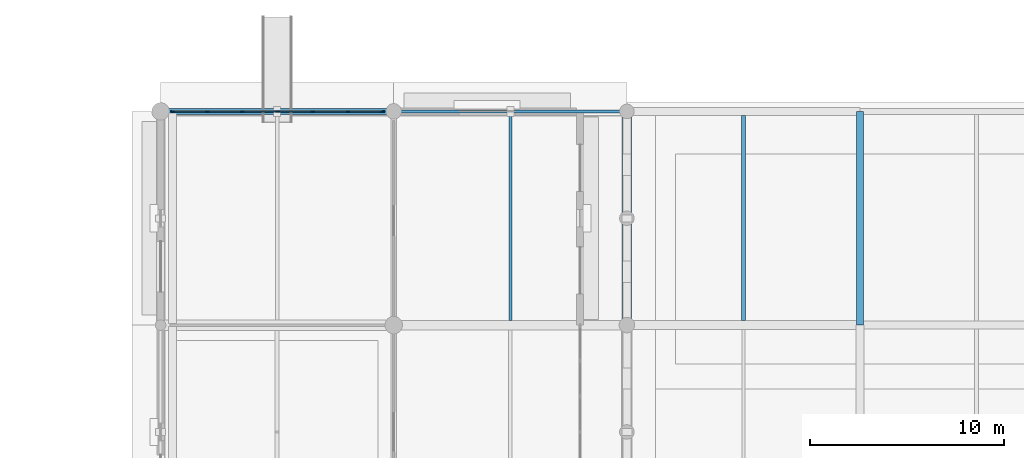
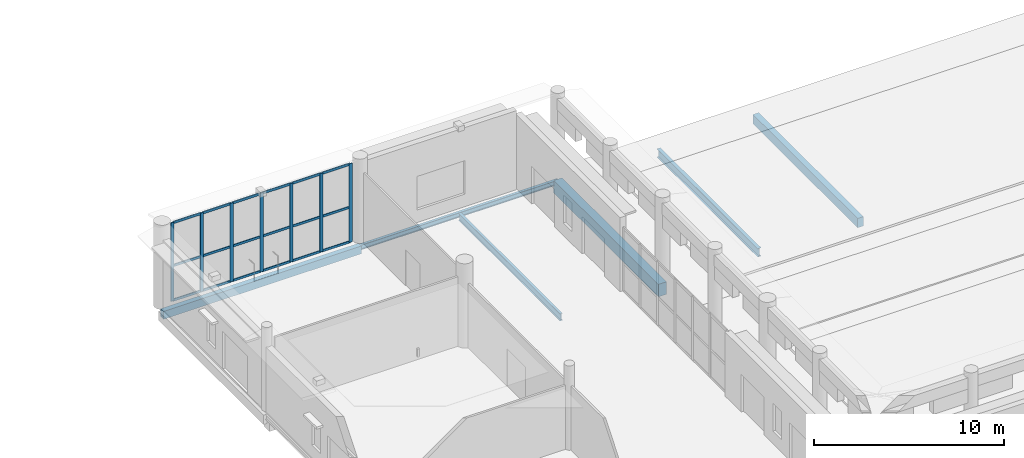
# One storey, part 38 of 120: 25 members, 6 beams, 1 element without a shape of its own.
"""IFC4 building model written with IfcOpenShell, lengths in metres."""

from ifc_helpers import new_model, si_unit, direction, frame, origin, origin_2d, place, context, subcontext, project, spatial, rectangle, hollow_rectangle, i_section, extrude, material, material_profile, profile_set, type_object, element, aggregate, save


model = new_model("IFC4")

# Units and contexts
model_context = context("Model", 3, precision=1e-05, world=origin(), true_north=direction((0.0, 1.0)))
body_context = subcontext(model_context, "Body", "Model", "MODEL_VIEW")
ifc_project = project(units=[si_unit("LENGTHUNIT", "METRE"), si_unit("AREAUNIT", "SQUARE_METRE"), si_unit("VOLUMEUNIT", "CUBIC_METRE"), si_unit("PLANEANGLEUNIT", "RADIAN"), si_unit("MASSUNIT", "GRAM", prefix="KILO")], contexts=[model_context])

# Site, building, storey
site_placement = place(None, origin())
site = spatial("IfcSite", under=ifc_project, at=site_placement, CompositionType="ELEMENT")
building_placement = place(site_placement, origin())
building = spatial("IfcBuilding", under=site, at=building_placement, Name="Luwafu Chhajja Arena", CompositionType="ELEMENT")
storey_placement = place(building_placement, origin())
storey = spatial("IfcBuildingStorey", under=building, at=storey_placement, Name="L00", CompositionType="ELEMENT", Elevation=0.0)

# Beam
ifc_material_1 = material(Name="Concrete C35/45", Category="concrete")
ifc_material_profile_1 = material_profile(ifc_material_1, rectangle(XDim=0.35009765625, YDim=0.60009765625, at=origin_2d()), Name="RC 350x600")
ifc_profile_set_1 = profile_set([ifc_material_profile_1], Name="Concrete C35/45")
beam_type_1 = type_object("IfcBeamType", Name="Arcade Tie Beam RC 350x600", PredefinedType="BEAM", material=ifc_profile_set_1)
beam_1_placement = place(storey_placement, frame((70.0, 121.0, -0.64990234375), z_axis=(0.0, 1.0, 0.0), x_axis=(-1.0, 0.0, 0.0)))
element("IfcBeam", 1, at=beam_1_placement, inside=storey, type_object=beam_type_1, Name="L00 Grid Beam 7/M-N", PredefinedType="BEAM", context=body_context, shape_type="SweptSolid", body=[
    extrude(rectangle(XDim=0.35009765625, YDim=0.60009765625, at=origin_2d()), origin(), (0.0, 0.0, 1.0), 11.0),
])

# Curtain wall, members
ifc_material_2 = material(Name="Anodised bronze aluminium", Category="aluminium")
curtain_wall_type = type_object("IfcCurtainWallType", Name="Foyer Luwafu Street Curtain Wall", PredefinedType="USERDEFINED", material=ifc_material_2)
curtain_wall_placement = place(storey_placement, origin())
curtain_wall = element("IfcCurtainWall", 2, at=curtain_wall_placement, inside=storey, type_object=curtain_wall_type, Name="L00 Curtain Wall CWG-L00-H03_12", ObjectType="CURTAIN WALL", PredefinedType="USERDEFINED")
ifc_material_profile_2 = material_profile(ifc_material_2, rectangle(XDim=0.06494140625, YDim=0.199951171875, at=origin_2d()), Name="CWM 65x200")
ifc_profile_set_2 = profile_set([ifc_material_profile_2], Name="Anodised bronze aluminium")
member_type_1 = type_object("IfcMemberType", Name="Bronze Curtain Wall Mullion 65x200", PredefinedType="MULLION", material=ifc_profile_set_2)
member_1_placement = place(storey_placement, frame((34.62255859375, 132.0, 0.030029296875), z_axis=(0.0, 0.0, 1.0), x_axis=(0.0, 1.0, 0.0)))
member_1 = element("IfcMember", 3, at=member_1_placement, type_object=member_type_1, Name="CW-05 mullion 1", PredefinedType="MULLION", context=body_context, shape_type="SweptSolid", body=[
    extrude(rectangle(XDim=0.06494140625, YDim=0.199951171875, at=origin_2d()), origin(), (0.0, 0.0, 1.0), 5.034912109375),
])
member_2_placement = place(storey_placement, frame((36.401611328125, 132.0, 0.030029296875), z_axis=(0.0, 0.0, 1.0), x_axis=(0.0, 1.0, 0.0)))
member_2 = element("IfcMember", 4, at=member_2_placement, type_object=member_type_1, Name="CW-05 mullion 2", PredefinedType="MULLION", context=body_context, shape_type="SweptSolid", body=[
    extrude(rectangle(XDim=0.06494140625, YDim=0.199951171875, at=origin_2d()), origin(), (0.0, 0.0, 1.0), 5.034912109375),
])
member_3_placement = place(storey_placement, frame((38.21337890625, 132.0, 0.030029296875), z_axis=(0.0, 0.0, 1.0), x_axis=(0.0, 1.0, 0.0)))
member_3 = element("IfcMember", 5, at=member_3_placement, type_object=member_type_1, Name="CW-05 mullion 3", PredefinedType="MULLION", context=body_context, shape_type="SweptSolid", body=[
    extrude(rectangle(XDim=0.06494140625, YDim=0.199951171875, at=origin_2d()), origin(), (0.0, 0.0, 1.0), 5.034912109375),
])
member_4_placement = place(storey_placement, frame((40.02490234375, 132.0, 0.030029296875), z_axis=(0.0, 0.0, 1.0), x_axis=(0.0, 1.0, 0.0)))
member_4 = element("IfcMember", 6, at=member_4_placement, type_object=member_type_1, Name="CW-05 mullion 4", PredefinedType="MULLION", context=body_context, shape_type="SweptSolid", body=[
    extrude(rectangle(XDim=0.06494140625, YDim=0.199951171875, at=origin_2d()), origin(), (0.0, 0.0, 1.0), 5.034912109375),
])
member_5_placement = place(storey_placement, frame((41.836669921875, 132.0, 0.030029296875), z_axis=(0.0, 0.0, 1.0), x_axis=(0.0, 1.0, 0.0)))
member_5 = element("IfcMember", 7, at=member_5_placement, type_object=member_type_1, Name="CW-05 mullion 5", PredefinedType="MULLION", context=body_context, shape_type="SweptSolid", body=[
    extrude(rectangle(XDim=0.06494140625, YDim=0.199951171875, at=origin_2d()), origin(), (0.0, 0.0, 1.0), 5.034912109375),
])
member_6_placement = place(storey_placement, frame((43.6484375, 132.0, 0.030029296875), z_axis=(0.0, 0.0, 1.0), x_axis=(0.0, 1.0, 0.0)))
member_6 = element("IfcMember", 8, at=member_6_placement, type_object=member_type_1, Name="CW-05 mullion 6", PredefinedType="MULLION", context=body_context, shape_type="SweptSolid", body=[
    extrude(rectangle(XDim=0.06494140625, YDim=0.199951171875, at=origin_2d()), origin(), (0.0, 0.0, 1.0), 5.034912109375),
])
member_7_placement = place(storey_placement, frame((45.427490234375, 132.0, 0.030029296875), z_axis=(0.0, 0.0, 1.0), x_axis=(0.0, 1.0, 0.0)))
member_7 = element("IfcMember", 9, at=member_7_placement, type_object=member_type_1, Name="CW-05 mullion 7", PredefinedType="MULLION", context=body_context, shape_type="SweptSolid", body=[
    extrude(rectangle(XDim=0.06494140625, YDim=0.199951171875, at=origin_2d()), origin(), (0.0, 0.0, 1.0), 5.034912109375),
])
ifc_material_profile_3 = material_profile(ifc_material_2, rectangle(XDim=0.06494140625, YDim=0.14990234375, at=origin_2d()), Name="CWT 65x150")
ifc_profile_set_3 = profile_set([ifc_material_profile_3], Name="Anodised bronze aluminium")
member_type_2 = type_object("IfcMemberType", Name="Bronze Curtain Wall Transom 65x150", PredefinedType="USERDEFINED", material=ifc_profile_set_3)
member_8_placement = place(storey_placement, frame((34.655029296875, 132.0, 0.0625), z_axis=(1.0, 0.0, 0.0), x_axis=(0.0, 1.0, 0.0)))
member_8 = element("IfcMember", 10, at=member_8_placement, type_object=member_type_2, Name="CW-05 transom 1.1", ObjectType="TRANSOM", PredefinedType="USERDEFINED", context=body_context, shape_type="SweptSolid", body=[
    extrude(rectangle(XDim=0.06494140625, YDim=0.14990234375, at=origin_2d()), origin(), (0.0, 0.0, 1.0), 1.714111328125),
])
member_9_placement = place(storey_placement, frame((34.655029296875, 132.0, 2.279296875), z_axis=(1.0, 0.0, 0.0), x_axis=(0.0, 1.0, 0.0)))
member_9 = element("IfcMember", 11, at=member_9_placement, type_object=member_type_2, Name="CW-05 transom 1.2", ObjectType="TRANSOM", PredefinedType="USERDEFINED", context=body_context, shape_type="SweptSolid", body=[
    extrude(rectangle(XDim=0.06494140625, YDim=0.14990234375, at=origin_2d()), origin(), (0.0, 0.0, 1.0), 1.714111328125),
])
member_10_placement = place(storey_placement, frame((34.655029296875, 132.0, 5.032470703125), z_axis=(1.0, 0.0, 0.0), x_axis=(0.0, 1.0, 0.0)))
member_10 = element("IfcMember", 12, at=member_10_placement, type_object=member_type_2, Name="CW-05 transom 1.3", ObjectType="TRANSOM", PredefinedType="USERDEFINED", context=body_context, shape_type="SweptSolid", body=[
    extrude(rectangle(XDim=0.06494140625, YDim=0.14990234375, at=origin_2d()), origin(), (0.0, 0.0, 1.0), 1.714111328125),
])
member_11_placement = place(storey_placement, frame((36.43408203125, 132.0, 0.0625), z_axis=(1.0, 0.0, 0.0), x_axis=(0.0, 1.0, 0.0)))
member_11 = element("IfcMember", 13, at=member_11_placement, type_object=member_type_2, Name="CW-05 transom 2.1", ObjectType="TRANSOM", PredefinedType="USERDEFINED", context=body_context, shape_type="SweptSolid", body=[
    extrude(rectangle(XDim=0.06494140625, YDim=0.14990234375, at=origin_2d()), origin(), (0.0, 0.0, 1.0), 1.746826171875),
])
member_12_placement = place(storey_placement, frame((36.43408203125, 132.0, 2.279296875), z_axis=(1.0, 0.0, 0.0), x_axis=(0.0, 1.0, 0.0)))
member_12 = element("IfcMember", 14, at=member_12_placement, type_object=member_type_2, Name="CW-05 transom 2.2", ObjectType="TRANSOM", PredefinedType="USERDEFINED", context=body_context, shape_type="SweptSolid", body=[
    extrude(rectangle(XDim=0.06494140625, YDim=0.14990234375, at=origin_2d()), origin(), (0.0, 0.0, 1.0), 1.746826171875),
])
member_13_placement = place(storey_placement, frame((36.43408203125, 132.0, 5.032470703125), z_axis=(1.0, 0.0, 0.0), x_axis=(0.0, 1.0, 0.0)))
member_13 = element("IfcMember", 15, at=member_13_placement, type_object=member_type_2, Name="CW-05 transom 2.3", ObjectType="TRANSOM", PredefinedType="USERDEFINED", context=body_context, shape_type="SweptSolid", body=[
    extrude(rectangle(XDim=0.06494140625, YDim=0.14990234375, at=origin_2d()), origin(), (0.0, 0.0, 1.0), 1.746826171875),
])
member_14_placement = place(storey_placement, frame((38.245849609375, 132.0, 0.0625), z_axis=(1.0, 0.0, 0.0), x_axis=(0.0, 1.0, 0.0)))
member_14 = element("IfcMember", 16, at=member_14_placement, type_object=member_type_2, Name="CW-05 transom 3.1", ObjectType="TRANSOM", PredefinedType="USERDEFINED", context=body_context, shape_type="SweptSolid", body=[
    extrude(rectangle(XDim=0.06494140625, YDim=0.14990234375, at=origin_2d()), origin(), (0.0, 0.0, 1.0), 1.74658203125),
])
member_15_placement = place(storey_placement, frame((38.245849609375, 132.0, 2.279296875), z_axis=(1.0, 0.0, 0.0), x_axis=(0.0, 1.0, 0.0)))
member_15 = element("IfcMember", 17, at=member_15_placement, type_object=member_type_2, Name="CW-05 transom 3.2", ObjectType="TRANSOM", PredefinedType="USERDEFINED", context=body_context, shape_type="SweptSolid", body=[
    extrude(rectangle(XDim=0.06494140625, YDim=0.14990234375, at=origin_2d()), origin(), (0.0, 0.0, 1.0), 1.74658203125),
])
member_16_placement = place(storey_placement, frame((38.245849609375, 132.0, 5.032470703125), z_axis=(1.0, 0.0, 0.0), x_axis=(0.0, 1.0, 0.0)))
member_16 = element("IfcMember", 18, at=member_16_placement, type_object=member_type_2, Name="CW-05 transom 3.3", ObjectType="TRANSOM", PredefinedType="USERDEFINED", context=body_context, shape_type="SweptSolid", body=[
    extrude(rectangle(XDim=0.06494140625, YDim=0.14990234375, at=origin_2d()), origin(), (0.0, 0.0, 1.0), 1.74658203125),
])
member_17_placement = place(storey_placement, frame((40.0576171875, 132.0, 0.0625), z_axis=(1.0, 0.0, 0.0), x_axis=(0.0, 1.0, 0.0)))
member_17 = element("IfcMember", 19, at=member_17_placement, type_object=member_type_2, Name="CW-05 transom 4.1", ObjectType="TRANSOM", PredefinedType="USERDEFINED", context=body_context, shape_type="SweptSolid", body=[
    extrude(rectangle(XDim=0.06494140625, YDim=0.14990234375, at=origin_2d()), origin(), (0.0, 0.0, 1.0), 1.74658203125),
])
member_18_placement = place(storey_placement, frame((40.0576171875, 132.0, 2.279296875), z_axis=(1.0, 0.0, 0.0), x_axis=(0.0, 1.0, 0.0)))
member_18 = element("IfcMember", 20, at=member_18_placement, type_object=member_type_2, Name="CW-05 transom 4.2", ObjectType="TRANSOM", PredefinedType="USERDEFINED", context=body_context, shape_type="SweptSolid", body=[
    extrude(rectangle(XDim=0.06494140625, YDim=0.14990234375, at=origin_2d()), origin(), (0.0, 0.0, 1.0), 1.74658203125),
])
member_19_placement = place(storey_placement, frame((40.0576171875, 132.0, 5.032470703125), z_axis=(1.0, 0.0, 0.0), x_axis=(0.0, 1.0, 0.0)))
member_19 = element("IfcMember", 21, at=member_19_placement, type_object=member_type_2, Name="CW-05 transom 4.3", ObjectType="TRANSOM", PredefinedType="USERDEFINED", context=body_context, shape_type="SweptSolid", body=[
    extrude(rectangle(XDim=0.06494140625, YDim=0.14990234375, at=origin_2d()), origin(), (0.0, 0.0, 1.0), 1.74658203125),
])
member_20_placement = place(storey_placement, frame((41.869140625, 132.0, 0.0625), z_axis=(1.0, 0.0, 0.0), x_axis=(0.0, 1.0, 0.0)))
member_20 = element("IfcMember", 22, at=member_20_placement, type_object=member_type_2, Name="CW-05 transom 5.1", ObjectType="TRANSOM", PredefinedType="USERDEFINED", context=body_context, shape_type="SweptSolid", body=[
    extrude(rectangle(XDim=0.06494140625, YDim=0.14990234375, at=origin_2d()), origin(), (0.0, 0.0, 1.0), 1.74658203125),
])
member_21_placement = place(storey_placement, frame((41.869140625, 132.0, 2.279296875), z_axis=(1.0, 0.0, 0.0), x_axis=(0.0, 1.0, 0.0)))
member_21 = element("IfcMember", 23, at=member_21_placement, type_object=member_type_2, Name="CW-05 transom 5.2", ObjectType="TRANSOM", PredefinedType="USERDEFINED", context=body_context, shape_type="SweptSolid", body=[
    extrude(rectangle(XDim=0.06494140625, YDim=0.14990234375, at=origin_2d()), origin(), (0.0, 0.0, 1.0), 1.74658203125),
])
member_22_placement = place(storey_placement, frame((41.869140625, 132.0, 5.032470703125), z_axis=(1.0, 0.0, 0.0), x_axis=(0.0, 1.0, 0.0)))
member_22 = element("IfcMember", 24, at=member_22_placement, type_object=member_type_2, Name="CW-05 transom 5.3", ObjectType="TRANSOM", PredefinedType="USERDEFINED", context=body_context, shape_type="SweptSolid", body=[
    extrude(rectangle(XDim=0.06494140625, YDim=0.14990234375, at=origin_2d()), origin(), (0.0, 0.0, 1.0), 1.74658203125),
])
member_23_placement = place(storey_placement, frame((43.680908203125, 132.0, 0.0625), z_axis=(1.0, 0.0, 0.0), x_axis=(0.0, 1.0, 0.0)))
member_23 = element("IfcMember", 25, at=member_23_placement, type_object=member_type_2, Name="CW-05 transom 6.1", ObjectType="TRANSOM", PredefinedType="USERDEFINED", context=body_context, shape_type="SweptSolid", body=[
    extrude(rectangle(XDim=0.06494140625, YDim=0.14990234375, at=origin_2d()), origin(), (0.0, 0.0, 1.0), 1.714111328125),
])
member_24_placement = place(storey_placement, frame((43.680908203125, 132.0, 2.279296875), z_axis=(1.0, 0.0, 0.0), x_axis=(0.0, 1.0, 0.0)))
member_24 = element("IfcMember", 26, at=member_24_placement, type_object=member_type_2, Name="CW-05 transom 6.2", ObjectType="TRANSOM", PredefinedType="USERDEFINED", context=body_context, shape_type="SweptSolid", body=[
    extrude(rectangle(XDim=0.06494140625, YDim=0.14990234375, at=origin_2d()), origin(), (0.0, 0.0, 1.0), 1.714111328125),
])
member_25_placement = place(storey_placement, frame((43.680908203125, 132.0, 5.032470703125), z_axis=(1.0, 0.0, 0.0), x_axis=(0.0, 1.0, 0.0)))
member_25 = element("IfcMember", 27, at=member_25_placement, type_object=member_type_2, Name="CW-05 transom 6.3", ObjectType="TRANSOM", PredefinedType="USERDEFINED", context=body_context, shape_type="SweptSolid", body=[
    extrude(rectangle(XDim=0.06494140625, YDim=0.14990234375, at=origin_2d()), origin(), (0.0, 0.0, 1.0), 1.714111328125),
])
aggregate(curtain_wall, [member_1, member_2, member_3, member_4, member_5, member_6, member_7, member_8, member_9, member_10, member_11, member_12, member_13, member_14, member_15, member_16, member_17, member_18, member_19, member_20, member_21, member_22, member_23, member_24, member_25])

# Beams
ifc_material_3 = material(Name="Steel S355", Category="steel")
ifc_material_profile_4 = material_profile(ifc_material_3, i_section(OverallWidth=0.165771484375, OverallDepth=0.306640625, WebThickness=0.006591796875, FlangeThickness=0.01171875, at=origin_2d()), Name="UB 305x165x46")
ifc_profile_set_4 = profile_set([ifc_material_profile_4], Name="Steel S355")
beam_type_2 = type_object("IfcBeamType", Name="Concourse Edge Spandrel Beam UB 305x165x46", PredefinedType="SPANDREL", material=ifc_profile_set_4)
beam_2_placement = place(storey_placement, frame((46.0, 132.0, -0.50341796875), z_axis=(1.0, 0.0, 0.0), x_axis=(0.0, 1.0, 0.0)))
element("IfcBeam", 28, at=beam_2_placement, inside=storey, type_object=beam_type_2, Name="L00 Grid Beam 5-6/N", PredefinedType="SPANDREL", context=body_context, shape_type="SweptSolid", body=[
    extrude(i_section(OverallWidth=0.165771484375, OverallDepth=0.306640625, WebThickness=0.006591796875, FlangeThickness=0.01171875, at=origin_2d()), origin(), (0.0, 0.0, 1.0), 12.0),
])
ifc_material_profile_5 = material_profile(ifc_material_3, i_section(OverallWidth=0.15283203125, OverallDepth=0.45458984375, WebThickness=0.008056640625, FlangeThickness=0.01318359375, at=origin_2d()), Name="UB 457x152x60")
ifc_profile_set_5 = profile_set([ifc_material_profile_5], Name="Steel S355")
beam_type_3 = type_object("IfcBeamType", Name="Floor Joist UB 457x152x60", PredefinedType="JOIST", material=ifc_profile_set_5)
beam_3_placement = place(storey_placement, frame((52.0, 121.25, -0.577392578125), z_axis=(0.0, 1.0, 0.0), x_axis=(-1.0, 0.0, 0.0)))
element("IfcBeam", 29, at=beam_3_placement, inside=storey, type_object=beam_type_3, Name="L00 Secondary Joist 5-6/M", PredefinedType="JOIST", context=body_context, shape_type="SweptSolid", body=[
    extrude(i_section(OverallWidth=0.15283203125, OverallDepth=0.45458984375, WebThickness=0.008056640625, FlangeThickness=0.01318359375, at=origin_2d()), origin(), (0.0, 0.0, 1.0), 10.6669921875),
])
ifc_material_profile_6 = material_profile(ifc_material_3, i_section(OverallWidth=0.2099609375, OverallDepth=0.53662109375, WebThickness=0.0107421875, FlangeThickness=0.017333984375, at=origin_2d()), Name="UB 533x210x101")
ifc_profile_set_6 = profile_set([ifc_material_profile_6], Name="Steel S355")
beam_type_4 = type_object("IfcBeamType", Name="Floor Joist UB 533x210x101", PredefinedType="JOIST", material=ifc_profile_set_6)
beam_4_placement = place(storey_placement, frame((64.0, 121.22509765625, -0.618408203125), z_axis=(0.0, 1.0, 0.0), x_axis=(-1.0, 0.0, 0.0)))
element("IfcBeam", 30, at=beam_4_placement, inside=storey, type_object=beam_type_4, Name="L00 Secondary Joist 6-7/M", PredefinedType="JOIST", context=body_context, shape_type="SweptSolid", body=[
    extrude(i_section(OverallWidth=0.2099609375, OverallDepth=0.53662109375, WebThickness=0.0107421875, FlangeThickness=0.017333984375, at=origin_2d()), origin(), (0.0, 0.0, 1.0), 10.574951171875),
])
ifc_material_profile_7 = material_profile(ifc_material_1, rectangle(XDim=0.5, YDim=0.800048828125, at=origin_2d()), Name="RC 500x800")
ifc_profile_set_7 = profile_set([ifc_material_profile_7], Name="Concrete C35/45")
beam_type_5 = type_object("IfcBeamType", Name="Hospitality Primary Beam RC 500x800", PredefinedType="BEAM", material=ifc_profile_set_7)
beam_5_placement = place(storey_placement, frame((58.0, 121.0, -0.75), z_axis=(0.0, 1.0, 0.0), x_axis=(-1.0, 0.0, 0.0)))
element("IfcBeam", 31, at=beam_5_placement, inside=storey, type_object=beam_type_5, Name="L00 Grid Beam 6/M-N", PredefinedType="BEAM", context=body_context, shape_type="SweptSolid", body=[
    extrude(rectangle(XDim=0.5, YDim=0.800048828125, at=origin_2d()), origin(), (0.0, 0.0, 1.0), 11.0),
])
ifc_material_profile_8 = material_profile(ifc_material_3, hollow_rectangle(XDim=0.300048828125, YDim=0.5, WallThickness=0.02001953125, at=origin_2d()), Name="RHS 500x300x20")
ifc_profile_set_8 = profile_set([ifc_material_profile_8], Name="Steel S355")
beam_type_6 = type_object("IfcBeamType", Name="Pleated Drum Spandrel Beam RHS 500x300", PredefinedType="SPANDREL", material=ifc_profile_set_8)
beam_6_placement = place(storey_placement, frame((34.0, 132.0, -0.60009765625), z_axis=(1.0, 0.0, 0.0), x_axis=(0.0, 1.0, 0.0)))
element("IfcBeam", 32, at=beam_6_placement, inside=storey, type_object=beam_type_6, Name="L00 Grid Beam 4-5/N", PredefinedType="SPANDREL", context=body_context, shape_type="SweptSolid", body=[
    extrude(hollow_rectangle(XDim=0.300048828125, YDim=0.5, WallThickness=0.02001953125, at=origin_2d()), origin(), (0.0, 0.0, 1.0), 12.0),
])

save(model, "model.ifc")
